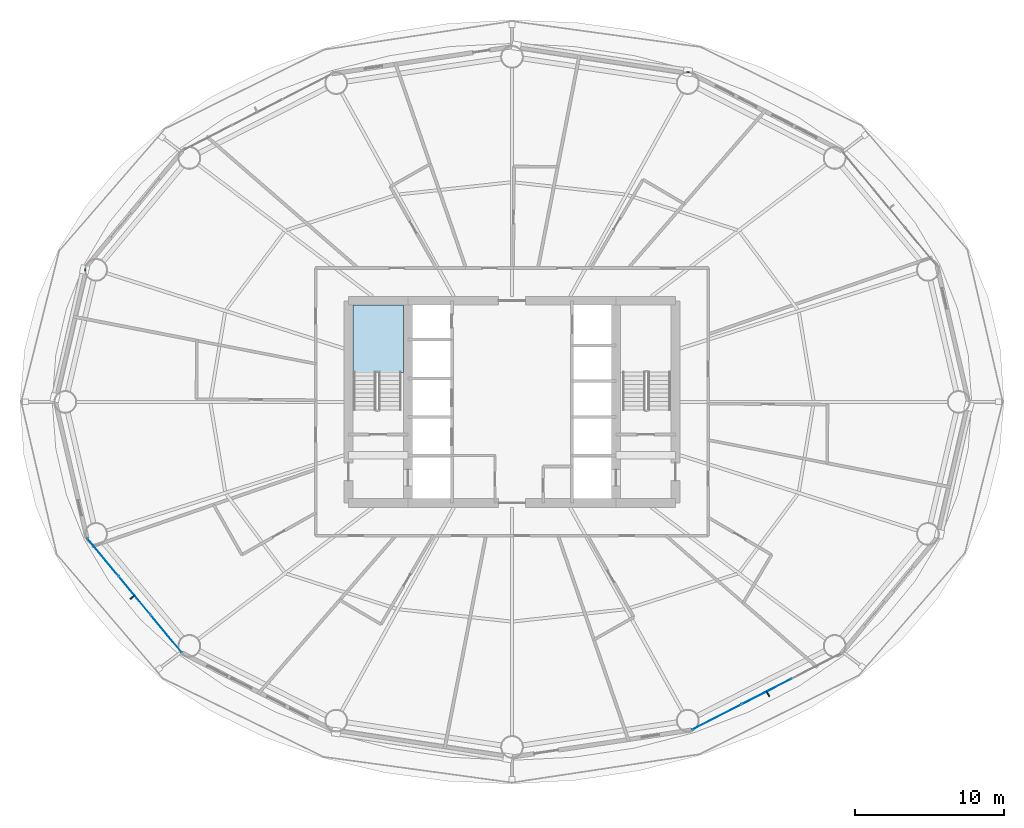
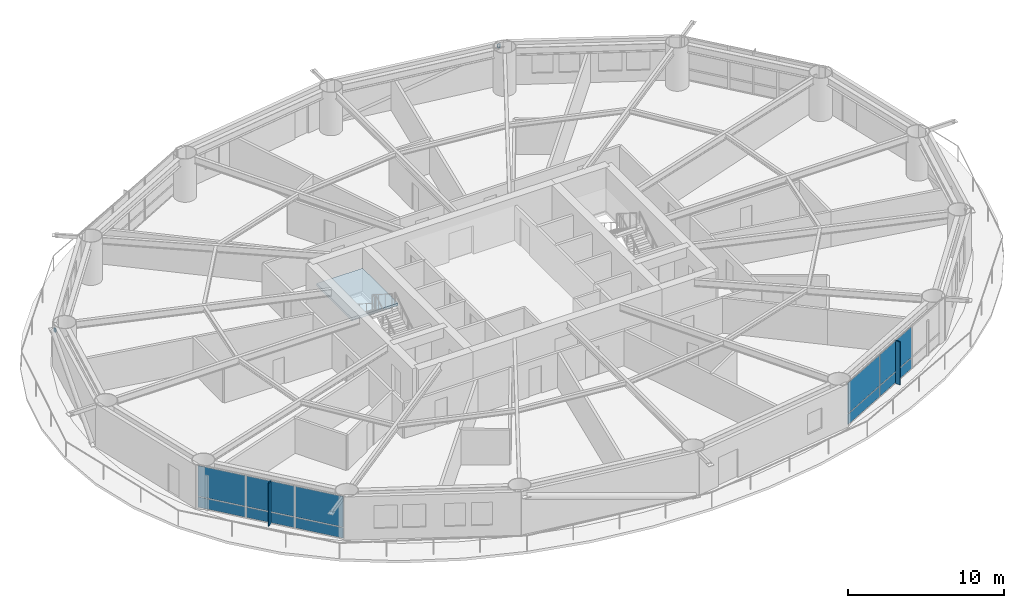
# One storey, part 16 of 26: 12 plates, 2 members, 1 slab, 3 elements without a shape of their own.
"""IFC4 building model written with IfcOpenShell, lengths in metres."""

from ifc_helpers import new_model, si_unit, direction, frame, origin, origin_2d, place, context, subcontext, project, spatial, polyline, rectangle, hollow_rectangle, outline, extrude, material, layer, layer_set, material_profile, profile_set, type_object, element, aggregate, save


model = new_model("IFC4")

# Units and contexts
model_context = context("Model", 3, precision=1e-05, world=origin(), true_north=direction((0.0, 1.0)))
body_context = subcontext(model_context, "Body", "Model", "MODEL_VIEW")
ifc_project = project(units=[si_unit("LENGTHUNIT", "METRE"), si_unit("AREAUNIT", "SQUARE_METRE"), si_unit("VOLUMEUNIT", "CUBIC_METRE"), si_unit("PLANEANGLEUNIT", "RADIAN"), si_unit("MASSUNIT", "GRAM", prefix="KILO")], contexts=[model_context])

# Site, building, storey
site_placement = place(None, origin())
site = spatial("IfcSite", under=ifc_project, at=site_placement, CompositionType="ELEMENT")
building_placement = place(site_placement, origin())
building = spatial("IfcBuilding", under=site, at=building_placement, Name="Sarneth Arch Tower", CompositionType="ELEMENT")
storey_placement = place(building_placement, frame((0.0, 0.0, 71.39990234375)))
storey = spatial("IfcBuildingStorey", under=building, at=storey_placement, Name="L17", CompositionType="ELEMENT", Elevation=71.39990234375)

# Members
ifc_material_1 = material(Name="Steel S355", Category="steel")
ifc_material_profile = material_profile(ifc_material_1, hollow_rectangle(XDim=0.199951171875, YDim=0.300048828125, WallThickness=0.012451171875, InnerFilletRadius=0.018798828125, OuterFilletRadius=0.03125, at=origin_2d()), Name="RHS300x200x12.5")
ifc_profile_set = profile_set([ifc_material_profile], Name="Steel S355")
member_type = type_object("IfcMemberType", Name="MEM-CANT-STRUT", PredefinedType="STRUT", material=ifc_profile_set)
member_1_placement = place(storey_placement, frame((59.8193359375, 64.109130859375, 3.0068359375), z_axis=(0.002710017149, 0.999996327897, 0.0), x_axis=(-0.999996327897, 0.002710017149, 0.0)))
element("IfcMember", 1, at=member_1_placement, inside=storey, type_object=member_type, Name="L17 Exoskeleton brace node strut 04B", PredefinedType="STRUT", context=body_context, shape_type="SweptSolid", body=[
    extrude(hollow_rectangle(XDim=0.199951171875, YDim=0.300048828125, WallThickness=0.012451171875, InnerFilletRadius=0.018798828125, OuterFilletRadius=0.03125, at=origin_2d()), origin(), (0.0, 0.0, 1.0), 0.090087890625),
])
member_2_placement = place(storey_placement, frame((19.359619140625, 50.8837890625, 3.0068359375), z_axis=(-0.999972430314, 0.007425537849, 0.0), x_axis=(-0.007425537849, -0.999972430314, 0.0)))
element("IfcMember", 2, at=member_2_placement, inside=storey, type_object=member_type, Name="L17 Exoskeleton brace node strut 08B", PredefinedType="STRUT", context=body_context, shape_type="SweptSolid", body=[
    extrude(hollow_rectangle(XDim=0.199951171875, YDim=0.300048828125, WallThickness=0.012451171875, InnerFilletRadius=0.018798828125, OuterFilletRadius=0.03125, at=origin_2d()), origin(), (0.0, 0.0, 1.0), 0.0986328125),
])

# Curtain wall, plates
ifc_material_2 = material(Name="Anodised aluminium Type AA25 and solar-control low-e laminated IGU", Category="aluminium")
ifc_layer_1 = layer(ifc_material_2, 0.159912109375)
ifc_layer_set_1 = layer_set([ifc_layer_1], Name="Anodised aluminium Type AA25 and solar-control low-e laminated IGU")
curtain_wall_type = type_object("IfcCurtainWallType", Name="CW-HOTEL-LOW", PredefinedType="NOTDEFINED", material=ifc_layer_set_1)
curtain_wall_1_placement = place(storey_placement, origin())
curtain_wall_1 = element("IfcCurtainWall", 3, at=curtain_wall_1_placement, inside=storey, type_object=curtain_wall_type, Name="L17 Unitised curtain wall facet 10", PredefinedType="NOTDEFINED")
ifc_material_3 = material(Name="Solar-control low-e laminated IGU", Category="glass")
ifc_layer_2 = layer(ifc_material_3, 0.028076171875)
ifc_layer_set_2 = layer_set([ifc_layer_2], Name="Solar-control low-e laminated IGU")
plate_type_1 = type_object("IfcPlateType", Name="CW-PANEL", PredefinedType="CURTAIN_PANEL", material=ifc_layer_set_2)
plate_1_placement = place(storey_placement, frame((20.496337890625, 31.558837890625, 0.06005859375), z_axis=(0.0, 0.0, 1.0), x_axis=(0.637291340827, -0.770622960278, 0.0)))
plate_1 = element("IfcPlate", 4, at=plate_1_placement, type_object=plate_type_1, Name="Curtain wall glazed vision pane CW-L17-F10/P00-00", PredefinedType="CURTAIN_PANEL", context=body_context, shape_type="SweptSolid", body=[
    extrude(rectangle(XDim=3.260986328125, YDim=0.028076171875, at=origin_2d()), origin(), (0.0, 0.0, 1.0), 0.81005859375),
])
plate_2_placement = place(storey_placement, frame((20.496337890625, 31.558837890625, 0.93017578125), z_axis=(0.0, 0.0, 1.0), x_axis=(0.637291340827, -0.770622960278, 0.0)))
plate_2 = element("IfcPlate", 5, at=plate_2_placement, type_object=plate_type_1, Name="Curtain wall glazed vision pane CW-L17-F10/P00-01", PredefinedType="CURTAIN_PANEL", context=body_context, shape_type="SweptSolid", body=[
    extrude(rectangle(XDim=3.260986328125, YDim=0.028076171875, at=origin_2d()), origin(), (0.0, 0.0, 1.0), 2.389892578125),
])
plate_3_placement = place(storey_placement, frame((22.62255859375, 28.98779296875, 0.06005859375), z_axis=(0.0, 0.0, 1.0), x_axis=(0.637291340827, -0.770622960278, 0.0)))
plate_3 = element("IfcPlate", 6, at=plate_3_placement, type_object=plate_type_1, Name="Curtain wall glazed vision pane CW-L17-F10/P01-00", PredefinedType="CURTAIN_PANEL", context=body_context, shape_type="SweptSolid", body=[
    extrude(rectangle(XDim=3.291015625, YDim=0.028076171875, at=origin_2d()), origin(), (0.0, 0.0, 1.0), 0.81005859375),
])
plate_4_placement = place(storey_placement, frame((22.62255859375, 28.98779296875, 0.93017578125), z_axis=(0.0, 0.0, 1.0), x_axis=(0.637291340827, -0.770622960278, 0.0)))
plate_4 = element("IfcPlate", 7, at=plate_4_placement, type_object=plate_type_1, Name="Curtain wall glazed vision pane CW-L17-F10/P01-01", PredefinedType="CURTAIN_PANEL", context=body_context, shape_type="SweptSolid", body=[
    extrude(rectangle(XDim=3.291015625, YDim=0.028076171875, at=origin_2d()), origin(), (0.0, 0.0, 1.0), 2.389892578125),
])
plate_5_placement = place(storey_placement, frame((24.74853515625, 26.4169921875, 0.06005859375), z_axis=(0.0, 0.0, 1.0), x_axis=(0.637291340827, -0.770622960278, 0.0)))
plate_5 = element("IfcPlate", 8, at=plate_5_placement, type_object=plate_type_1, Name="Curtain wall glazed vision pane CW-L17-F10/P02-00", PredefinedType="CURTAIN_PANEL", context=body_context, shape_type="SweptSolid", body=[
    extrude(rectangle(XDim=3.260986328125, YDim=0.028076171875, at=origin_2d()), origin(), (0.0, 0.0, 1.0), 0.81005859375),
])
plate_6_placement = place(storey_placement, frame((24.74853515625, 26.4169921875, 0.93017578125), z_axis=(0.0, 0.0, 1.0), x_axis=(0.637291340827, -0.770622960278, 0.0)))
plate_6 = element("IfcPlate", 9, at=plate_6_placement, type_object=plate_type_1, Name="Curtain wall glazed vision pane CW-L17-F10/P02-01", PredefinedType="CURTAIN_PANEL", context=body_context, shape_type="SweptSolid", body=[
    extrude(rectangle(XDim=3.260986328125, YDim=0.028076171875, at=origin_2d()), origin(), (0.0, 0.0, 1.0), 2.389892578125),
])
aggregate(curtain_wall_1, [plate_1, plate_2, plate_3, plate_4, plate_5, plate_6])

curtain_wall_2_placement = place(storey_placement, origin())
curtain_wall_2 = element("IfcCurtainWall", 10, at=curtain_wall_2_placement, inside=storey, type_object=curtain_wall_type, Name="L17 Unitised curtain wall facet 14", PredefinedType="NOTDEFINED")
plate_7_placement = place(storey_placement, frame((61.77392578125, 20.807373046875, 0.06005859375), z_axis=(0.0, 0.0, 1.0), x_axis=(0.889854100456, 0.456245197127, 0.0)))
plate_7 = element("IfcPlate", 11, at=plate_7_placement, type_object=plate_type_1, Name="Curtain wall glazed vision pane CW-L17-F14/P00-00", PredefinedType="CURTAIN_PANEL", context=body_context, shape_type="SweptSolid", body=[
    extrude(rectangle(XDim=3.69189453125, YDim=0.028076171875, at=origin_2d()), origin(), (0.0, 0.0, 1.0), 0.81005859375),
])
plate_8_placement = place(storey_placement, frame((61.77392578125, 20.807373046875, 0.93017578125), z_axis=(0.0, 0.0, 1.0), x_axis=(0.889854100456, 0.456245197127, 0.0)))
plate_8 = element("IfcPlate", 12, at=plate_8_placement, type_object=plate_type_1, Name="Curtain wall glazed vision pane CW-L17-F14/P00-01", PredefinedType="CURTAIN_PANEL", context=body_context, shape_type="SweptSolid", body=[
    extrude(rectangle(XDim=3.69189453125, YDim=0.028076171875, at=origin_2d()), origin(), (0.0, 0.0, 1.0), 2.389892578125),
])
plate_9_placement = place(storey_placement, frame((65.1259765625, 22.526123046875, 0.06005859375), z_axis=(0.0, 0.0, 1.0), x_axis=(0.889854100456, 0.456245197127, 0.0)))
plate_9 = element("IfcPlate", 13, at=plate_9_placement, type_object=plate_type_1, Name="Curtain wall glazed vision pane CW-L17-F14/P01-00", PredefinedType="CURTAIN_PANEL", context=body_context, shape_type="SweptSolid", body=[
    extrude(rectangle(XDim=3.721923828125, YDim=0.028076171875, at=origin_2d()), origin(), (0.0, 0.0, 1.0), 0.81005859375),
])
plate_10_placement = place(storey_placement, frame((65.1259765625, 22.526123046875, 0.93017578125), z_axis=(0.0, 0.0, 1.0), x_axis=(0.889854100456, 0.456245197127, 0.0)))
plate_10 = element("IfcPlate", 14, at=plate_10_placement, type_object=plate_type_1, Name="Curtain wall glazed vision pane CW-L17-F14/P01-01", PredefinedType="CURTAIN_PANEL", context=body_context, shape_type="SweptSolid", body=[
    extrude(rectangle(XDim=3.721923828125, YDim=0.028076171875, at=origin_2d()), origin(), (0.0, 0.0, 1.0), 2.389892578125),
])
aggregate(curtain_wall_2, [plate_7, plate_8, plate_9, plate_10])

# Plates
ifc_material_4 = material(Name="Extruded glazed terracotta baguette fin on Aluminium 6063-T6 carrier", Category="masonry")
ifc_layer_3 = layer(ifc_material_4, 0.080078125)
ifc_layer_set_3 = layer_set([ifc_layer_3], Name="Extruded glazed terracotta baguette fin on Aluminium 6063-T6 carrier")
plate_type_2 = type_object("IfcPlateType", Name="SHADE-TERRA-FIN", PredefinedType="SHEET", material=ifc_layer_set_3)
for number, where, z_axis, x_axis, name in (
    (15, (22.491455078125, 28.879638671875, 0.01025390625), (0.0, 0.0, 1.0), (-0.770624482513, -0.637289500111, 0.0), "L17 Terracotta vertical shading fin 10"),
    (16, (65.20361328125, 22.374755859375, 0.01025390625), (0.0, 0.0, 1.0), (0.4563215909, -0.889814927768, 0.0), "L17 Terracotta vertical shading fin 14"),
):
    element("IfcPlate", number, at=place(storey_placement, frame(where, z_axis=z_axis, x_axis=x_axis)), inside=storey, type_object=plate_type_2, Name=name, PredefinedType="SHEET", context=body_context, shape_type="SweptSolid", body=[
        extrude(rectangle(XDim=0.419921875, YDim=0.080078125, at=origin_2d()), origin(), (0.0, 0.0, 1.0), 3.360107421875),
    ])

# Stair, slab
ifc_material_5 = material(Name="Concrete C50/60", Category="concrete")
stair_type = type_object("IfcStairType", Name="STAIR-CORE-RC", PredefinedType="HALF_TURN_STAIR", material=ifc_material_5)
stair_placement = place(storey_placement, origin())
stair = element("IfcStair", 17, at=stair_placement, inside=storey, type_object=stair_type, Name="L17 Core Exit Stair 1", PredefinedType="HALF_TURN_STAIR")
ifc_material_6 = material(Name="Concrete C50/60", Category="concrete")
ifc_layer_4 = layer(ifc_material_6, 0.199951171875)
ifc_layer_set_4 = layer_set([ifc_layer_4], Name="Concrete C50/60")
slab_type = type_object("IfcSlabType", Name="SLAB-LANDING-200", PredefinedType="LANDING", material=ifc_layer_set_4)
slab_placement = place(storey_placement, frame((0.0, 0.0, 1.60009765625)))
slab = element("IfcSlab", 18, at=slab_placement, type_object=slab_type, Name="ST-1 landing 1", PredefinedType="LANDING", context=body_context, shape_type="SweptSolid", body=[
    extrude(outline(polyline([(37.300048828125, 43.985107421875), (40.699951171875, 43.985107421875), (40.699951171875, 48.5), (37.300048828125, 48.5), (37.300048828125, 43.985107421875)])), origin(), (0.0, 0.0, 1.0), 0.199951171875),
])
aggregate(stair, [slab])

save(model, "model.ifc")
